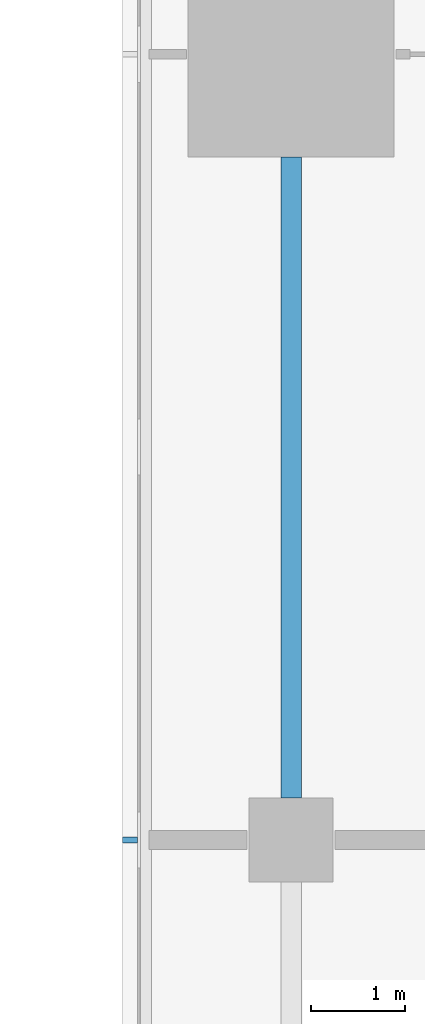
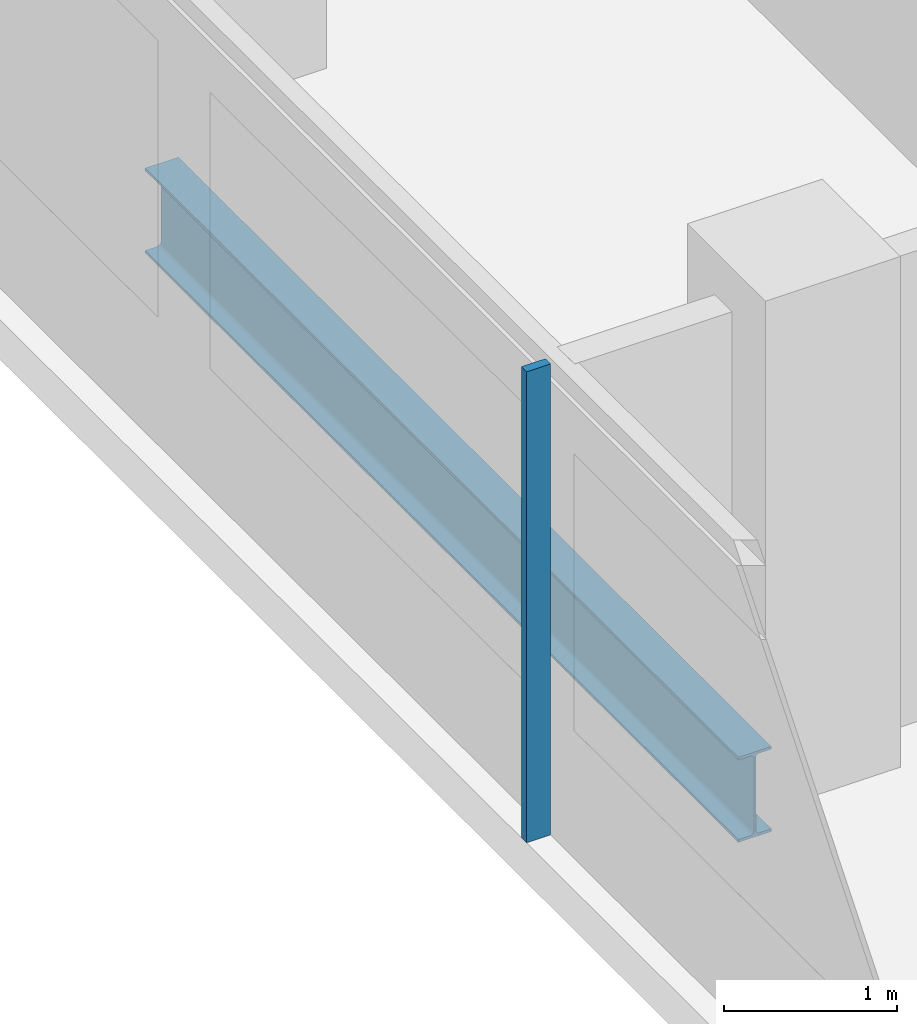
# One storey, part 4 of 27: 1 beam, 1 member, 1 element without a shape of its own.
"""IFC4 building model written with IfcOpenShell, lengths in metres."""

from ifc_helpers import new_model, si_unit, direction, frame, origin, origin_2d, place, context, subcontext, project, spatial, rectangle, i_section, extrude, material, material_profile, profile_set, type_object, element, aggregate, save


model = new_model("IFC4")

# Units and contexts
model_context = context("Model", 3, precision=1e-05, world=origin(), true_north=direction((0.0, 1.0)))
body_context = subcontext(model_context, "Body", "Model", "MODEL_VIEW")
ifc_project = project(units=[si_unit("LENGTHUNIT", "METRE"), si_unit("AREAUNIT", "SQUARE_METRE"), si_unit("VOLUMEUNIT", "CUBIC_METRE"), si_unit("PLANEANGLEUNIT", "RADIAN"), si_unit("MASSUNIT", "GRAM", prefix="KILO")], contexts=[model_context])

# Site, building, storey
site_placement = place(None, origin())
site = spatial("IfcSite", under=ifc_project, at=site_placement, CompositionType="ELEMENT")
building_placement = place(site_placement, origin())
building = spatial("IfcBuilding", under=site, at=building_placement, Name="Saffron Gate Tower", CompositionType="ELEMENT")
storey_placement = place(building_placement, frame((0.0, 0.0, 76.800048828125)))
storey = spatial("IfcBuildingStorey", under=building, at=storey_placement, Name="L18", CompositionType="ELEMENT", Elevation=76.800048828125)

# Beam
ifc_material_1 = material(Name="Structural steel S355", Category="steel")
ifc_material_profile_1 = material_profile(ifc_material_1, i_section(OverallWidth=0.219970703125, OverallDepth=0.60009765625, WebThickness=0.011962890625, FlangeThickness=0.01904296875, FilletRadius=0.02392578125, at=origin_2d()))
ifc_profile_set_1 = profile_set([ifc_material_profile_1], Name="Structural steel S355")
beam_type = type_object("IfcBeamType", Name="B16 IPE 600", PredefinedType="SPANDREL", material=ifc_profile_set_1)
beam_placement = place(storey_placement, frame((49.800048828125, 57.449951171875, -0.580078125), z_axis=(0.0, 1.0, 0.0), x_axis=(-1.0, 0.0, 0.0)))
element("IfcBeam", 1, at=beam_placement, inside=storey, type_object=beam_type, Name="B16 SPANDREL BEAM", PredefinedType="SPANDREL", context=body_context, shape_type="SweptSolid", body=[
    extrude(i_section(OverallWidth=0.219970703125, OverallDepth=0.60009765625, WebThickness=0.011962890625, FlangeThickness=0.01904296875, FilletRadius=0.02392578125, at=origin_2d()), origin(), (0.0, 0.0, 1.0), 6.85009765625),
])

# Curtain wall, member
ifc_material_2 = material(Name="Aluminium, bronze anodised", Category="aluminium")
curtain_wall_type = type_object("IfcCurtainWallType", Name="CWS2 curtain wall side facades", PredefinedType="NOTDEFINED", material=ifc_material_2)
curtain_wall_placement = place(storey_placement, origin())
curtain_wall = element("IfcCurtainWall", 2, at=curtain_wall_placement, inside=storey, type_object=curtain_wall_type, Name="CWS2 run 10", PredefinedType="NOTDEFINED")
ifc_material_profile_2 = material_profile(ifc_material_2, rectangle(XDim=0.159912109375, YDim=0.06005859375, at=origin_2d()))
ifc_profile_set_2 = profile_set([ifc_material_profile_2], Name="Aluminium, bronze anodised")
member_type = type_object("IfcMemberType", Name="CWS2 mullion 60x160", PredefinedType="MULLION", material=ifc_profile_set_2)
member_placement = place(storey_placement, frame((48.080078125, 57.0, 0.0), z_axis=(0.0, 0.0, 1.0), x_axis=(1.0, 0.0, 0.0)))
member = element("IfcMember", 3, at=member_placement, type_object=member_type, Name="CWS2 mullion 3", PredefinedType="MULLION", context=body_context, shape_type="SweptSolid", body=[
    extrude(rectangle(XDim=0.159912109375, YDim=0.06005859375, at=origin_2d()), origin(), (0.0, 0.0, 1.0), 3.320068359375),
])
aggregate(curtain_wall, [member])

save(model, "model.ifc")
